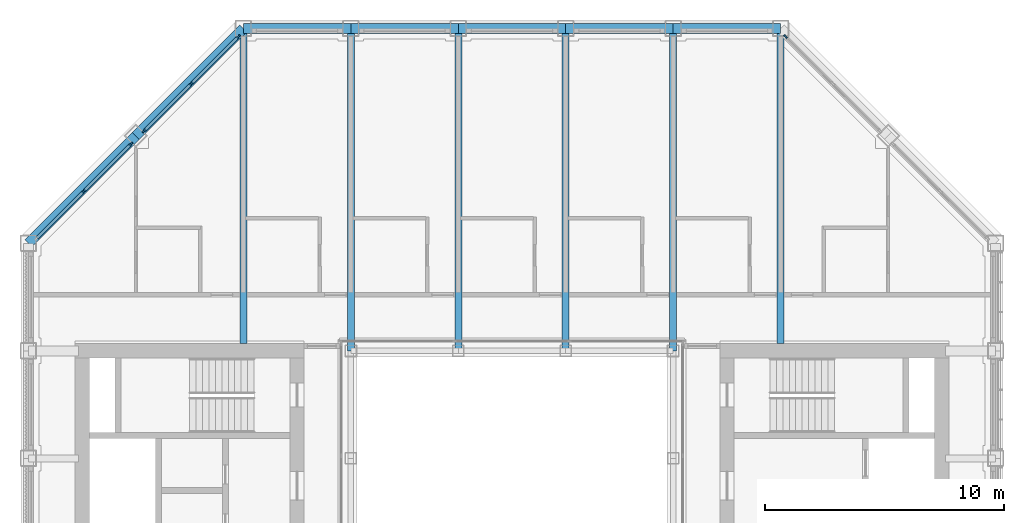
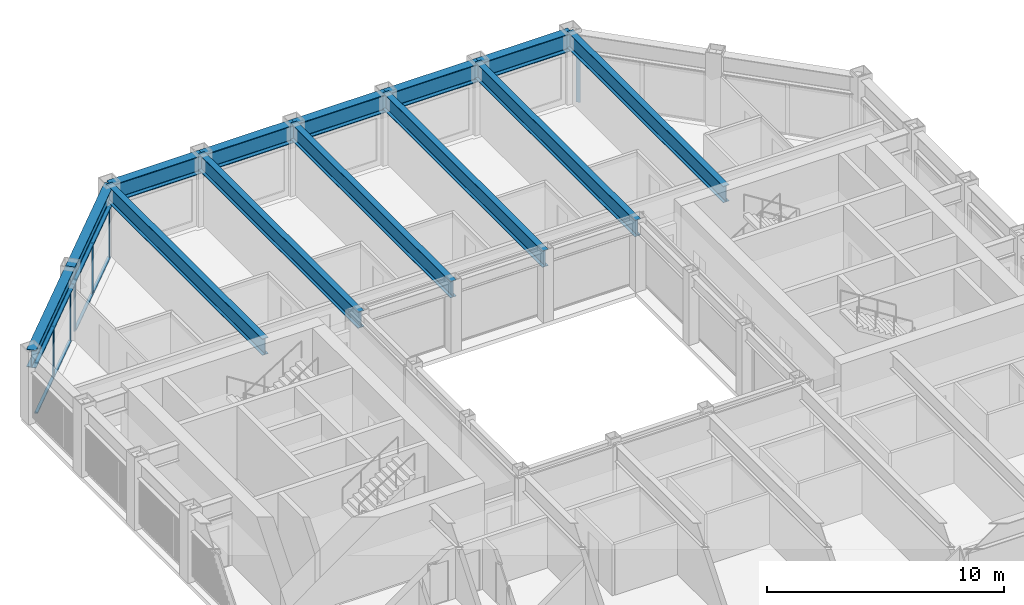
# One storey, part 6 of 18: 14 members, 13 beams, 3 elements without a shape of their own.
"""IFC4 building model written with IfcOpenShell, lengths in metres."""

import ifcopenshell
import ifcopenshell.guid

model = None  # the IFC model being written
_history = None  # IfcOwnerHistory: only IFC2X3 demands one
_inside = {}  # id of a spatial element -> (the spatial element, [elements in it])
_under = {}  # id of a project, library or spatial element -> (it, [spatial elements below it])
_declared = {}  # id of a project -> (the project, [libraries it declares])
_typed = {}  # id of a type object -> (the type object, [elements of that type])
_made_of = {}  # id of a material, layer set ... -> (it, [elements and type objects made of it])


def new_model(schema):
    """Start an empty IFC model of exactly this schema.

    Asked for "IFC4X3", IfcOpenShell would pick the latest addendum, in which some entities
    have other attributes; the version numbers below select the first issue.
    IFC2X3 requires an IfcOwnerHistory on every rooted entity: one is made here for all.
    """
    global model, _history
    if schema == "IFC4X3":
        model = ifcopenshell.file(schema_version=(4, 3, 0, 0))
    else:
        model = ifcopenshell.file(schema=schema)
    _inside.clear()
    _under.clear()
    _declared.clear()
    _typed.clear()
    _made_of.clear()
    _history = None
    if model.schema == "IFC2X3":
        org = make("IfcOrganization", Name="unknown")
        user = make(
            "IfcPersonAndOrganization",
            ThePerson=make("IfcPerson", FamilyName="unknown"),
            TheOrganization=org,
        )
        app = make(
            "IfcApplication",
            ApplicationDeveloper=org,
            Version="unknown",
            ApplicationFullName="unknown",
            ApplicationIdentifier="unknown",
        )
        _history = make(
            "IfcOwnerHistory",
            OwningUser=user,
            OwningApplication=app,
            ChangeAction="ADDED",
            CreationDate=0,
        )
    return model


def make(cls, **values):
    """One entity of the class cls with the attributes given. An attribute that is None is left unset."""
    return model.create_entity(
        cls, **{name: value for name, value in values.items() if value is not None}
    )


def rooted(cls, **values):
    """An entity with a GlobalId (a new one), such as an element, a storey or a relation."""
    return make(cls, GlobalId=ifcopenshell.guid.new(), OwnerHistory=_history, **values)


def si_unit(unit_type, name, prefix=None):
    """IfcSIUnit, for example si_unit("LENGTHUNIT", "METRE", prefix="MILLI")."""
    return make("IfcSIUnit", UnitType=unit_type, Prefix=prefix, Name=name)


def assignment(units):
    """IfcUnitAssignment: the units of a project."""
    return None if units is None else make("IfcUnitAssignment", Units=units)


def point(xyz):
    """IfcCartesianPoint."""
    return None if xyz is None else make("IfcCartesianPoint", Coordinates=xyz)


def direction(xyz):
    """IfcDirection."""
    return None if xyz is None else make("IfcDirection", DirectionRatios=xyz)


def frame(location, z_axis=None, x_axis=None):
    """IfcAxis2Placement3D, a coordinate frame: its origin and axes. An axis left out is left unset."""
    return make(
        "IfcAxis2Placement3D",
        Location=point(location),
        Axis=direction(z_axis),
        RefDirection=direction(x_axis),
    )


def frame_2d(location, x_axis=None):
    """IfcAxis2Placement2D, a coordinate frame in the plane: its origin and x axis."""
    return make(
        "IfcAxis2Placement2D", Location=point(location), RefDirection=direction(x_axis)
    )


def origin():
    """The frame at (0, 0, 0) with its axes left unset."""
    return frame((0.0, 0.0, 0.0))


def origin_2d():
    """The frame at (0, 0) in the plane with its x axis left unset."""
    return frame_2d((0.0, 0.0))


def place(relative_to, where):
    """IfcLocalPlacement: puts the frame where relative to a parent placement (None: the world)."""
    return make(
        "IfcLocalPlacement", PlacementRelTo=relative_to, RelativePlacement=where
    )


def context(
    kind, dimensions, precision=None, world=None, true_north=None, identifier=None
):
    """IfcGeometricRepresentationContext, for example the 3D "Model" context."""
    return make(
        "IfcGeometricRepresentationContext",
        ContextIdentifier=identifier,
        ContextType=kind,
        CoordinateSpaceDimension=dimensions,
        Precision=precision,
        WorldCoordinateSystem=world,
        TrueNorth=true_north,
    )


def subcontext(parent, identifier, kind, view, scale=None):
    """IfcGeometricRepresentationSubContext, for example "Body" below "Model"."""
    return make(
        "IfcGeometricRepresentationSubContext",
        ContextIdentifier=identifier,
        ContextType=kind,
        ParentContext=parent,
        TargetScale=scale,
        TargetView=view,
    )


def project(units=None, contexts=None):
    """IfcProject with its units and contexts."""
    return rooted(
        "IfcProject",
        Name="project",
        RepresentationContexts=contexts,
        UnitsInContext=assignment(units),
    )


def spatial(cls, under=None, at=None, **own):
    """A site, building, storey or space (cls), placed at a placement, below another one or the project."""
    s = rooted(cls, ObjectPlacement=at, **own)
    if under is not None:
        _under.setdefault(under.id(), (under, []))[1].append(s)
    return s


def profile(cls, at=None, kind="AREA", **sizes):
    """A parametric profile (cls). Its sizes go by their IFC names, for example OverallWidth=200.0."""
    return make(cls, ProfileType=kind, Position=at, **sizes)


def rectangle(**sizes):
    """IfcRectangleProfileDef."""
    return profile("IfcRectangleProfileDef", **sizes)


def i_section(**sizes):
    """IfcIShapeProfileDef."""
    return profile("IfcIShapeProfileDef", **sizes)


def extrude(swept, where, along, depth):
    """IfcExtrudedAreaSolid: the profile swept, set in the frame where, extruded along a direction by depth."""
    return make(
        "IfcExtrudedAreaSolid",
        SweptArea=swept,
        Position=where,
        ExtrudedDirection=direction(along),
        Depth=depth,
    )


def shape(context_of_items, identifier, shape_type, items):
    """IfcShapeRepresentation: the items that make up one representation, for example the "Body"."""
    return make(
        "IfcShapeRepresentation",
        ContextOfItems=context_of_items,
        RepresentationIdentifier=identifier,
        RepresentationType=shape_type,
        Items=items,
    )


def material(Name=None, Category=None):
    """IfcMaterial."""
    return make("IfcMaterial", Name=Name, Category=Category)


def material_profile(
    of_material, cross_section, Name=None, Category=None, Priority=None
):
    """IfcMaterialProfile: a cross section and its material."""
    return make(
        "IfcMaterialProfile",
        Name=Name,
        Material=of_material,
        Profile=cross_section,
        Priority=Priority,
        Category=Category,
    )


def profile_set(profiles, Name=None, composite=None):
    """IfcMaterialProfileSet."""
    return make(
        "IfcMaterialProfileSet",
        Name=Name,
        MaterialProfiles=profiles,
        CompositeProfile=composite,
    )


def made_of(thing, what):
    """Note that an element or type object is made of a material, layer set ...; save() writes the relation."""
    if what is not None:
        _made_of.setdefault(what.id(), (what, []))[1].append(thing)
    return thing


def type_object(cls, material=None, **own):
    """A type object (cls), such as IfcWallType, which elements share."""
    return made_of(rooted(cls, **own), material)


def element(
    cls,
    number,
    at=None,
    inside=None,
    cuts=None,
    type_object=None,
    material=None,
    context=None,
    identifier="Body",
    shape_type=None,
    held_by="IfcProductDefinitionShape",
    body=None,
    shapes=None,
    **own,
):
    """One element of the class cls, such as IfcWall. Its Tag is "e" and its number.

    at: its placement. inside: the storey or other place that contains it. cuts: it is an
    opening in that element (IfcRelVoidsElement). A single representation is given by context,
    identifier, shape_type and body (its items); several are given by shapes. held_by: the class
    of the entity that holds the representations. save() writes the other relations.
    """
    e = rooted(cls, Tag="e%d" % number, ObjectPlacement=at, **own)
    if body is not None:
        shapes = [shape(context, identifier, shape_type, body)]
    if shapes is not None:
        e.Representation = make(held_by, Representations=shapes)
    if inside is not None:
        _inside.setdefault(inside.id(), (inside, []))[1].append(e)
    if cuts is not None:
        rooted(
            "IfcRelVoidsElement", RelatingBuildingElement=cuts, RelatedOpeningElement=e
        )
    if type_object is not None:
        _typed.setdefault(type_object.id(), (type_object, []))[1].append(e)
    return made_of(e, material)


def aggregate(whole, parts):
    """IfcRelAggregates: a whole, such as a stair, and the parts it consists of."""
    return rooted("IfcRelAggregates", RelatingObject=whole, RelatedObjects=parts)


def save(model, path):
    """Write the relations noted so far, then the file.

    IfcRelAggregates (storeys below a building ...), IfcRelContainedInSpatialStructure (elements
    in a storey), IfcRelDefinesByType, IfcRelAssociatesMaterial and IfcRelDeclares: one each for
    every whole, place, type object, material and project.
    """
    for whole, parts in _under.values():
        aggregate(whole, parts)
    for where, things in _inside.values():
        rooted(
            "IfcRelContainedInSpatialStructure",
            RelatedElements=things,
            RelatingStructure=where,
        )
    for kind, things in _typed.values():
        rooted("IfcRelDefinesByType", RelatedObjects=things, RelatingType=kind)
    for what, things in _made_of.values():
        rooted("IfcRelAssociatesMaterial", RelatedObjects=things, RelatingMaterial=what)
    for by, libraries in _declared.values():
        rooted("IfcRelDeclares", RelatingContext=by, RelatedDefinitions=libraries)
    model.write(path)


model = new_model("IFC4")

# Units and contexts
model_context = context("Model", 3, precision=1e-05, world=origin(), true_north=direction((0.0, 1.0)))
body_context = subcontext(model_context, "Body", "Model", "MODEL_VIEW")
ifc_project = project(units=[si_unit("LENGTHUNIT", "METRE"), si_unit("AREAUNIT", "SQUARE_METRE"), si_unit("VOLUMEUNIT", "CUBIC_METRE"), si_unit("PLANEANGLEUNIT", "RADIAN"), si_unit("MASSUNIT", "GRAM", prefix="KILO")], contexts=[model_context])

# Site, building, storey
site_placement = place(None, origin())
site = spatial("IfcSite", under=ifc_project, at=site_placement, CompositionType="ELEMENT")
building_placement = place(site_placement, origin())
building = spatial("IfcBuilding", under=site, at=building_placement, Name="Msasa Ring Tower", CompositionType="ELEMENT")
storey_placement = place(building_placement, frame((0.0, 0.0, 204.550048828125)))
storey = spatial("IfcBuildingStorey", under=building, at=storey_placement, Name="L53", CompositionType="ELEMENT", Elevation=204.550048828125)

# Curtain wall, member
ifc_material_1 = material(Name="Aluminium curtain wall with clear glass", Category="aluminium")
curtain_wall_type = type_object("IfcCurtainWallType", Name="CW-C CHAMFER CORNER CURTAIN WALL", PredefinedType="NOTDEFINED", material=ifc_material_1)
curtain_wall_1_placement = place(storey_placement, origin())
curtain_wall_1 = element("IfcCurtainWall", 1, at=curtain_wall_1_placement, inside=storey, type_object=curtain_wall_type, Name="Chamfer corner curtain wall NE L53", PredefinedType="NOTDEFINED")
ifc_material_2 = material(Name="Aluminium mullion", Category="aluminium")
ifc_material_profile_1 = material_profile(ifc_material_2, rectangle(XDim=0.06494140625, YDim=0.179931640625, at=origin_2d()), Name="AL 65x180")
ifc_profile_set_1 = profile_set([ifc_material_profile_1], Name="Aluminium mullion")
member_type_1 = type_object("IfcMemberType", Name="CW-C MULLION 65x180", PredefinedType="MULLION", material=ifc_profile_set_1)
member_1_placement = place(storey_placement, frame((11.453369140625, 19.9052734375, 0.0), z_axis=(0.0, 0.0, 1.0), x_axis=(-0.707106781187, -0.707106781187, 0.0)))
member_1 = element("IfcMember", 2, at=member_1_placement, type_object=member_type_1, Name="CW-C mullion 3", PredefinedType="MULLION", context=body_context, shape_type="SweptSolid", body=[
    extrude(rectangle(XDim=0.06494140625, YDim=0.179931640625, at=origin_2d()), origin(), (0.0, 0.0, 1.0), 2.62890625),
])
aggregate(curtain_wall_1, [member_1])

# Curtain wall, members
curtain_wall_2_placement = place(storey_placement, origin())
curtain_wall_2 = element("IfcCurtainWall", 3, at=curtain_wall_2_placement, inside=storey, type_object=curtain_wall_type, Name="Chamfer corner curtain wall NW L53", PredefinedType="NOTDEFINED")
member_2_placement = place(storey_placement, frame((-15.953369140625, 15.4052734375, 0.0), z_axis=(0.0, 0.0, 1.0), x_axis=(0.707106781187, -0.707106781187, 0.0)))
member_2 = element("IfcMember", 4, at=member_2_placement, type_object=member_type_1, Name="CW-C mullion 1", PredefinedType="MULLION", context=body_context, shape_type="SweptSolid", body=[
    extrude(rectangle(XDim=0.06494140625, YDim=0.179931640625, at=origin_2d()), origin(), (0.0, 0.0, 1.0), 2.62890625),
])
member_3_placement = place(storey_placement, frame((-17.92919921875, 13.42919921875, 0.0), z_axis=(0.0, 0.0, 1.0), x_axis=(0.707106781187, -0.707106781187, 0.0)))
member_3 = element("IfcMember", 5, at=member_3_placement, type_object=member_type_1, Name="CW-C mullion 2", PredefinedType="MULLION", context=body_context, shape_type="SweptSolid", body=[
    extrude(rectangle(XDim=0.06494140625, YDim=0.179931640625, at=origin_2d()), origin(), (0.0, 0.0, 1.0), 2.62890625),
])

curtain_wall_3_placement = place(storey_placement, origin())
curtain_wall_3 = element("IfcCurtainWall", 6, at=curtain_wall_3_placement, inside=storey, type_object=curtain_wall_type, Name="Chamfer corner curtain wall NW L53", PredefinedType="NOTDEFINED")
member_4_placement = place(storey_placement, frame((-11.453369140625, 19.9052734375, 0.0), z_axis=(0.0, 0.0, 1.0), x_axis=(0.707106781187, -0.707106781187, 0.0)))
member_4 = element("IfcMember", 7, at=member_4_placement, type_object=member_type_1, Name="CW-C mullion 1", PredefinedType="MULLION", context=body_context, shape_type="SweptSolid", body=[
    extrude(rectangle(XDim=0.06494140625, YDim=0.179931640625, at=origin_2d()), origin(), (0.0, 0.0, 1.0), 2.62890625),
])
member_5_placement = place(storey_placement, frame((-13.42919921875, 17.92919921875, 0.0), z_axis=(0.0, 0.0, 1.0), x_axis=(0.707106781187, -0.707106781187, 0.0)))
member_5 = element("IfcMember", 8, at=member_5_placement, type_object=member_type_1, Name="CW-C mullion 2", PredefinedType="MULLION", context=body_context, shape_type="SweptSolid", body=[
    extrude(rectangle(XDim=0.06494140625, YDim=0.179931640625, at=origin_2d()), origin(), (0.0, 0.0, 1.0), 2.62890625),
])
member_6_placement = place(storey_placement, frame((-15.4052734375, 15.953369140625, 0.0), z_axis=(0.0, 0.0, 1.0), x_axis=(0.707106781187, -0.707106781187, 0.0)))
member_6 = element("IfcMember", 9, at=member_6_placement, type_object=member_type_1, Name="CW-C mullion 3", PredefinedType="MULLION", context=body_context, shape_type="SweptSolid", body=[
    extrude(rectangle(XDim=0.06494140625, YDim=0.179931640625, at=origin_2d()), origin(), (0.0, 0.0, 1.0), 2.62890625),
])

# Member
ifc_material_3 = material(Name="Aluminium transom", Category="aluminium")
ifc_material_profile_2 = material_profile(ifc_material_3, rectangle(XDim=0.139892578125, YDim=0.06494140625, at=origin_2d()), Name="AL 65x140")
ifc_profile_set_2 = profile_set([ifc_material_profile_2], Name="Aluminium transom")
member_type_2 = type_object("IfcMemberType", Name="CW-C TRANSOM 65x140", PredefinedType="USERDEFINED", material=ifc_profile_set_2)
member_7_placement = place(storey_placement, frame((-15.976318359375, 15.38232421875, 0.032470703125), z_axis=(-0.707106781187, -0.707106781187, 0.0), x_axis=(0.707106781187, -0.707106781187, 0.0)))
member_7 = element("IfcMember", 10, at=member_7_placement, type_object=member_type_2, Name="CW-C transom 1.1", ObjectType="TRANSOM", PredefinedType="USERDEFINED", context=body_context, shape_type="SweptSolid", body=[
    extrude(rectangle(XDim=0.139892578125, YDim=0.06494140625, at=origin_2d()), origin(), (0.0, 0.0, 1.0), 2.729248046875),
])

member_8_placement = place(storey_placement, frame((-15.976318359375, 15.38232421875, 2.596435546875), z_axis=(-0.707106781187, -0.707106781187, 0.0), x_axis=(0.707106781187, -0.707106781187, 0.0)))
member_8 = element("IfcMember", 11, at=member_8_placement, type_object=member_type_2, Name="CW-C transom 1.2", ObjectType="TRANSOM", PredefinedType="USERDEFINED", context=body_context, shape_type="SweptSolid", body=[
    extrude(rectangle(XDim=0.139892578125, YDim=0.06494140625, at=origin_2d()), origin(), (0.0, 0.0, 1.0), 2.729248046875),
])

member_9_placement = place(storey_placement, frame((-17.952392578125, 13.40625, 0.032470703125), z_axis=(-0.707106781187, -0.707106781187, 0.0), x_axis=(0.707106781187, -0.707106781187, 0.0)))
member_9 = element("IfcMember", 12, at=member_9_placement, type_object=member_type_2, Name="CW-C transom 2.1", ObjectType="TRANSOM", PredefinedType="USERDEFINED", context=body_context, shape_type="SweptSolid", body=[
    extrude(rectangle(XDim=0.139892578125, YDim=0.06494140625, at=origin_2d()), origin(), (0.0, 0.0, 1.0), 2.729248046875),
])

member_10_placement = place(storey_placement, frame((-17.952392578125, 13.40625, 2.596435546875), z_axis=(-0.707106781187, -0.707106781187, 0.0), x_axis=(0.707106781187, -0.707106781187, 0.0)))
member_10 = element("IfcMember", 13, at=member_10_placement, type_object=member_type_2, Name="CW-C transom 2.2", ObjectType="TRANSOM", PredefinedType="USERDEFINED", context=body_context, shape_type="SweptSolid", body=[
    extrude(rectangle(XDim=0.139892578125, YDim=0.06494140625, at=origin_2d()), origin(), (0.0, 0.0, 1.0), 2.729248046875),
])

aggregate(curtain_wall_2, [member_2, member_3, member_7, member_8, member_9, member_10])

member_11_placement = place(storey_placement, frame((-11.476318359375, 19.88232421875, 0.032470703125), z_axis=(-0.707106781187, -0.707106781187, 0.0), x_axis=(0.707106781187, -0.707106781187, 0.0)))
member_11 = element("IfcMember", 14, at=member_11_placement, type_object=member_type_2, Name="CW-C transom 1.1", ObjectType="TRANSOM", PredefinedType="USERDEFINED", context=body_context, shape_type="SweptSolid", body=[
    extrude(rectangle(XDim=0.139892578125, YDim=0.06494140625, at=origin_2d()), origin(), (0.0, 0.0, 1.0), 2.729248046875),
])

member_12_placement = place(storey_placement, frame((-11.476318359375, 19.88232421875, 2.596435546875), z_axis=(-0.707106781187, -0.707106781187, 0.0), x_axis=(0.707106781187, -0.707106781187, 0.0)))
member_12 = element("IfcMember", 15, at=member_12_placement, type_object=member_type_2, Name="CW-C transom 1.2", ObjectType="TRANSOM", PredefinedType="USERDEFINED", context=body_context, shape_type="SweptSolid", body=[
    extrude(rectangle(XDim=0.139892578125, YDim=0.06494140625, at=origin_2d()), origin(), (0.0, 0.0, 1.0), 2.729248046875),
])

member_13_placement = place(storey_placement, frame((-13.452392578125, 17.90625, 0.032470703125), z_axis=(-0.707106781187, -0.707106781187, 0.0), x_axis=(0.707106781187, -0.707106781187, 0.0)))
member_13 = element("IfcMember", 16, at=member_13_placement, type_object=member_type_2, Name="CW-C transom 2.1", ObjectType="TRANSOM", PredefinedType="USERDEFINED", context=body_context, shape_type="SweptSolid", body=[
    extrude(rectangle(XDim=0.139892578125, YDim=0.06494140625, at=origin_2d()), origin(), (0.0, 0.0, 1.0), 2.729248046875),
])

member_14_placement = place(storey_placement, frame((-13.452392578125, 17.90625, 2.596435546875), z_axis=(-0.707106781187, -0.707106781187, 0.0), x_axis=(0.707106781187, -0.707106781187, 0.0)))
member_14 = element("IfcMember", 17, at=member_14_placement, type_object=member_type_2, Name="CW-C transom 2.2", ObjectType="TRANSOM", PredefinedType="USERDEFINED", context=body_context, shape_type="SweptSolid", body=[
    extrude(rectangle(XDim=0.139892578125, YDim=0.06494140625, at=origin_2d()), origin(), (0.0, 0.0, 1.0), 2.729248046875),
])

aggregate(curtain_wall_3, [member_4, member_5, member_6, member_11, member_12, member_13, member_14])

# Beams
ifc_material_4 = material(Name="Steel S355", Category="steel")
ifc_material_profile_3 = material_profile(ifc_material_4, i_section(OverallWidth=0.293701171875, OverallDepth=0.850830078125, WebThickness=0.01611328125, FlangeThickness=0.02685546875, FilletRadius=0.017822265625, at=origin_2d()), Name="UB 838x292x226")
ifc_profile_set_3 = profile_set([ifc_material_profile_3], Name="Steel S355")
beam_type_1 = type_object("IfcBeamType", Name="FB5 UB 838x292x226", PredefinedType="BEAM", material=ifc_profile_set_3)
beam_1_placement = place(storey_placement, frame((-11.25, 20.25, 3.12451171875), z_axis=(0.0, -1.0, 0.0), x_axis=(1.0, 0.0, 0.0)))
element("IfcBeam", 18, at=beam_1_placement, inside=storey, type_object=beam_type_1, Name="Floor beam N-11.25 under L54", PredefinedType="BEAM", context=body_context, shape_type="SweptSolid", body=[
    extrude(i_section(OverallWidth=0.293701171875, OverallDepth=0.850830078125, WebThickness=0.01611328125, FlangeThickness=0.02685546875, FilletRadius=0.017822265625, at=origin_2d()), origin(), (0.0, 0.0, 1.0), 13.199951171875),
])
for number, where, z_axis, x_axis, name in (
    (19, (-6.75, 20.25, 3.12451171875), (0.0, -1.0, 0.0), (1.0, 0.0, 0.0), "Floor beam N-6.75 under L54"),
    (20, (-2.25, 20.25, 3.12451171875), (0.0, -1.0, 0.0), (1.0, 0.0, 0.0), "Floor beam N-2.25 under L54"),
    (21, (2.25, 20.25, 3.12451171875), (0.0, -1.0, 0.0), (1.0, 0.0, 0.0), "Floor beam N+2.25 under L54"),
    (22, (6.75, 20.25, 3.12451171875), (0.0, -1.0, 0.0), (1.0, 0.0, 0.0), "Floor beam N+6.75 under L54"),
):
    element("IfcBeam", number, at=place(storey_placement, frame(where, z_axis=z_axis, x_axis=x_axis)), inside=storey, type_object=beam_type_1, Name=name, PredefinedType="BEAM", context=body_context, shape_type="SweptSolid", body=[
        extrude(i_section(OverallWidth=0.293701171875, OverallDepth=0.850830078125, WebThickness=0.01611328125, FlangeThickness=0.02685546875, FilletRadius=0.017822265625, at=origin_2d()), origin(), (0.0, 0.0, 1.0), 13.5),
    ])
beam_2_placement = place(storey_placement, frame((11.25, 20.25, 3.12451171875), z_axis=(0.0, -1.0, 0.0), x_axis=(1.0, 0.0, 0.0)))
element("IfcBeam", 23, at=beam_2_placement, inside=storey, type_object=beam_type_1, Name="Floor beam N+11.25 under L54", PredefinedType="BEAM", context=body_context, shape_type="SweptSolid", body=[
    extrude(i_section(OverallWidth=0.293701171875, OverallDepth=0.850830078125, WebThickness=0.01611328125, FlangeThickness=0.02685546875, FilletRadius=0.017822265625, at=origin_2d()), origin(), (0.0, 0.0, 1.0), 13.199951171875),
])
ifc_material_5 = material(Name="Steel S355", Category="steel")
ifc_material_profile_4 = material_profile(ifc_material_5, i_section(OverallWidth=0.42041015625, OverallDepth=0.9208984375, WebThickness=0.021484375, FlangeThickness=0.03662109375, FilletRadius=0.024169921875, at=origin_2d()), Name="UB 914x419x388")
ifc_profile_set_4 = profile_set([ifc_material_profile_4], Name="Steel S355")
beam_type_2 = type_object("IfcBeamType", Name="SB1 UB 914x419x388", PredefinedType="SPANDREL", material=ifc_profile_set_4)
for number, where, z_axis, x_axis, name in (
    (24, (11.25, 20.25, 3.08935546875), (-1.0, 0.0, 0.0), (0.0, -1.0, 0.0), "Spandrel N+11.25 to N+6.75 under L54"),
    (25, (6.75, 20.25, 3.08935546875), (-1.0, 0.0, 0.0), (0.0, -1.0, 0.0), "Spandrel N+6.75 to N+2.25 under L54"),
    (26, (2.25, 20.25, 3.08935546875), (-1.0, 0.0, 0.0), (0.0, -1.0, 0.0), "Spandrel N+2.25 to N-2.25 under L54"),
    (27, (-2.25, 20.25, 3.08935546875), (-1.0, 0.0, 0.0), (0.0, -1.0, 0.0), "Spandrel N-2.25 to N-6.75 under L54"),
    (28, (-6.75, 20.25, 3.08935546875), (-1.0, 0.0, 0.0), (0.0, -1.0, 0.0), "Spandrel N-6.75 to N-11.25 under L54"),
):
    element("IfcBeam", number, at=place(storey_placement, frame(where, z_axis=z_axis, x_axis=x_axis)), inside=storey, type_object=beam_type_2, Name=name, PredefinedType="SPANDREL", context=body_context, shape_type="SweptSolid", body=[
        extrude(i_section(OverallWidth=0.42041015625, OverallDepth=0.9208984375, WebThickness=0.021484375, FlangeThickness=0.03662109375, FilletRadius=0.024169921875, at=origin_2d()), origin(), (0.0, 0.0, 1.0), 4.5),
    ])
for number, where, z_axis, x_axis, name in (
    (29, (-11.25, 20.25, 3.08935546875), (-0.707106781187, -0.707106781187, 0.0), (0.707106781187, -0.707106781187, 0.0), "Spandrel N-11.25 to NW under L54"),
    (30, (-15.75, 15.75, 3.08935546875), (-0.707106781187, -0.707106781187, 0.0), (0.707106781187, -0.707106781187, 0.0), "Spandrel NW to W+11.25 under L54"),
):
    element("IfcBeam", number, at=place(storey_placement, frame(where, z_axis=z_axis, x_axis=x_axis)), inside=storey, type_object=beam_type_2, Name=name, PredefinedType="SPANDREL", context=body_context, shape_type="SweptSolid", body=[
        extrude(i_section(OverallWidth=0.42041015625, OverallDepth=0.9208984375, WebThickness=0.021484375, FlangeThickness=0.03662109375, FilletRadius=0.024169921875, at=origin_2d()), origin(), (0.0, 0.0, 1.0), 6.364013671875),
    ])

save(model, "model.ifc")
